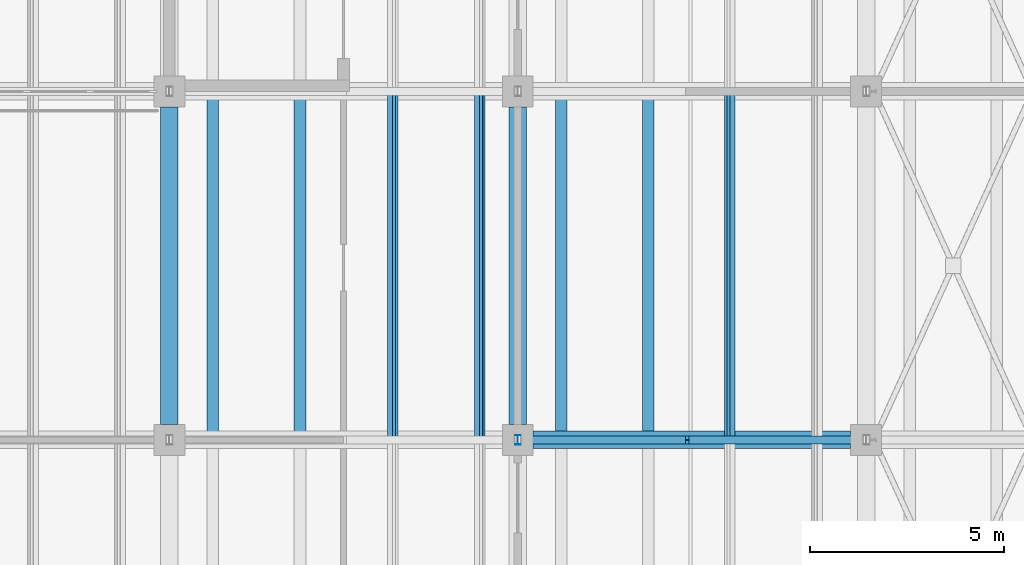
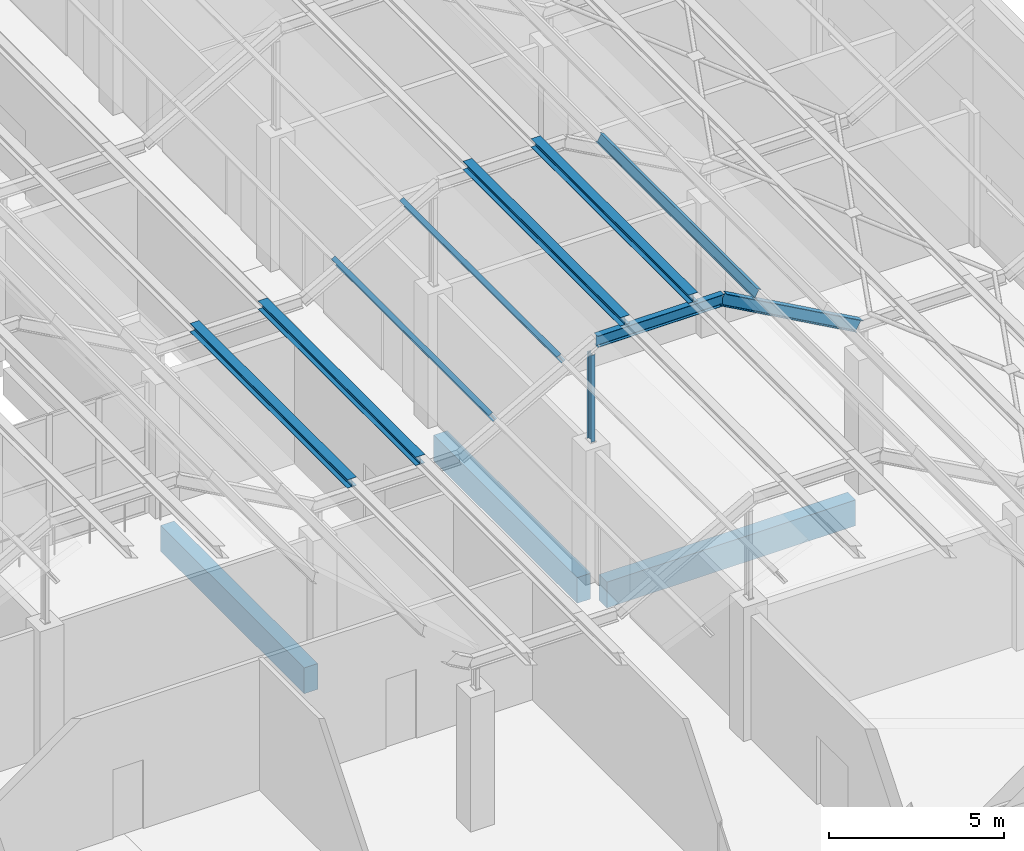
# One storey, part 27 of 437: 10 members, 3 beams.
"""IFC4 building model written with IfcOpenShell, lengths in metres."""

from ifc_helpers import new_model, si_unit, direction, frame, origin, origin_2d, place, context, subcontext, project, spatial, rectangle, i_section, extrude, material, material_profile, profile_set, type_object, element, save


model = new_model("IFC4")

# Units and contexts
model_context = context("Model", 3, precision=1e-05, world=origin(), true_north=direction((0.0, 1.0)))
body_context = subcontext(model_context, "Body", "Model", "MODEL_VIEW")
ifc_project = project(units=[si_unit("LENGTHUNIT", "METRE"), si_unit("AREAUNIT", "SQUARE_METRE"), si_unit("VOLUMEUNIT", "CUBIC_METRE"), si_unit("PLANEANGLEUNIT", "RADIAN"), si_unit("MASSUNIT", "GRAM", prefix="KILO")], contexts=[model_context])

# Site, building, storey
site_placement = place(None, origin())
site = spatial("IfcSite", under=ifc_project, at=site_placement, CompositionType="ELEMENT")
building_placement = place(site_placement, origin())
building = spatial("IfcBuilding", under=site, at=building_placement, Name="Opaline Strait Convention Centre", CompositionType="ELEMENT")
storey_placement = place(building_placement, frame((0.0, 0.0, 11.5)))
storey = spatial("IfcBuildingStorey", under=building, at=storey_placement, Name="L02", CompositionType="ELEMENT", Elevation=11.5)

# Members
ifc_material_1 = material(Name="Steel Q355B", Category="steel")
ifc_material_profile_1 = material_profile(ifc_material_1, i_section(OverallWidth=0.300048828125, OverallDepth=0.300048828125, WebThickness=0.010009765625, FlangeThickness=0.014892578125, FilletRadius=0.012939453125, at=origin_2d()), Name="HW 300x300x10x15")
ifc_profile_set_1 = profile_set([ifc_material_profile_1], Name="Steel Q355B")
member_type_1 = type_object("IfcMemberType", Name="Crest purlin HW 300x300x10x15", PredefinedType="PURLIN", material=ifc_profile_set_1)
for number, where, z_axis, x_axis, name in (
    (1, (55.125, 36.0, 5.949951171875), (0.0, 1.0, 0.0), (-1.0, 0.0, 0.0), "RU1 purlin facet 11 line 1"),
    (2, (57.375, 36.0, 5.949951171875), (0.0, 1.0, 0.0), (-1.0, 0.0, 0.0), "RU1 purlin facet 11 line 2"),
    (3, (64.125, 36.0, 8.449951171875), (0.0, 1.0, 0.0), (-1.0, 0.0, 0.0), "RU1 purlin facet 13 line 1"),
    (4, (66.375, 36.0, 8.449951171875), (0.0, 1.0, 0.0), (-1.0, 0.0, 0.0), "RU1 purlin facet 13 line 2"),
):
    element("IfcMember", number, at=place(storey_placement, frame(where, z_axis=z_axis, x_axis=x_axis)), inside=storey, type_object=member_type_1, Name=name, PredefinedType="PURLIN", context=body_context, shape_type="SweptSolid", body=[
        extrude(i_section(OverallWidth=0.300048828125, OverallDepth=0.300048828125, WebThickness=0.010009765625, FlangeThickness=0.014892578125, FilletRadius=0.012939453125, at=origin_2d()), origin(), (0.0, 0.0, 1.0), 9.0),
    ])

# Beams
ifc_material_2 = material(Name="Concrete C35", Category="concrete")
ifc_material_profile_2 = material_profile(ifc_material_2, rectangle(XDim=0.449951171875, YDim=0.89990234375, at=origin_2d()), Name="RC 450x900")
ifc_profile_set_2 = profile_set([ifc_material_profile_2], Name="Concrete C35")
beam_type = type_object("IfcBeamType", Name="RC beam 450x900 C35", PredefinedType="BEAM", material=ifc_profile_set_2)
for number, where, z_axis, x_axis, name in (
    (5, (63.39990234375, 36.0, -0.72998046875), (1.0, 0.0, 0.0), (0.0, 1.0, 0.0), "XB1 L02 63/36-72/36"),
    (6, (54.0, 36.39990234375, -0.72998046875), (0.0, 1.0, 0.0), (-1.0, 0.0, 0.0), "XB1 L02 54/36-54/45"),
    (7, (63.0, 36.39990234375, -0.72998046875), (0.0, 1.0, 0.0), (-1.0, 0.0, 0.0), "XB1 L02 63/36-63/45"),
):
    element("IfcBeam", number, at=place(storey_placement, frame(where, z_axis=z_axis, x_axis=x_axis)), inside=storey, type_object=beam_type, Name=name, PredefinedType="BEAM", context=body_context, shape_type="SweptSolid", body=[
        extrude(rectangle(XDim=0.449951171875, YDim=0.89990234375, at=origin_2d()), origin(), (0.0, 0.0, 1.0), 8.2001953125),
    ])

# Members
ifc_material_profile_3 = material_profile(ifc_material_1, i_section(OverallWidth=0.125, OverallDepth=0.25, WebThickness=0.006103515625, FlangeThickness=0.009033203125, FilletRadius=0.008056640625, at=origin_2d()), Name="HN 250x125x6x9")
ifc_profile_set_3 = profile_set([ifc_material_profile_3], Name="Steel Q355B")
member_type_2 = type_object("IfcMemberType", Name="Roof post HN 250x125x6x9", PredefinedType="STRUT", material=ifc_profile_set_3)
member_1_placement = place(storey_placement, frame((63.0, 36.0, 4.68994140625), z_axis=(0.0, 0.0, 1.0), x_axis=(1.0, 0.0, 0.0)))
element("IfcMember", 8, at=member_1_placement, inside=storey, type_object=member_type_2, Name="RP1 roof post at 63/36", PredefinedType="STRUT", context=body_context, shape_type="SweptSolid", body=[
    extrude(i_section(OverallWidth=0.125, OverallDepth=0.25, WebThickness=0.006103515625, FlangeThickness=0.009033203125, FilletRadius=0.008056640625, at=origin_2d()), origin(), (0.0, 0.0, 1.0), 3.031005859375),
])
ifc_material_profile_4 = material_profile(ifc_material_1, i_section(OverallWidth=0.14990234375, OverallDepth=0.300048828125, WebThickness=0.006591796875, FlangeThickness=0.009033203125, FilletRadius=0.012939453125, at=origin_2d()), Name="HN 300x150x6.5x9")
ifc_profile_set_4 = profile_set([ifc_material_profile_4], Name="Steel Q355B")
member_type_3 = type_object("IfcMemberType", Name="Roof purlin HN 300x150x6.5x9", PredefinedType="PURLIN", material=ifc_profile_set_4)
for number, where, z_axis, x_axis, name in (
    (9, (59.770751953125, 36.0, 6.61279296875), (0.0, 1.0, 0.0), (-0.874157310866, 0.0, -0.485642868639), "RU1 purlin facet 12 line 1"),
    (10, (62.020751953125, 36.0, 7.86279296875), (0.0, 1.0, 0.0), (-0.874157310866, 0.0, -0.485642868639), "RU1 purlin facet 12 line 2"),
    (11, (68.479248046875, 36.0, 7.86279296875), (0.0, 1.0, 0.0), (-0.874157310866, 0.0, 0.485642868639), "RU1 purlin facet 14 line 1"),
):
    element("IfcMember", number, at=place(storey_placement, frame(where, z_axis=z_axis, x_axis=x_axis)), inside=storey, type_object=member_type_3, Name=name, PredefinedType="PURLIN", context=body_context, shape_type="SweptSolid", body=[
        extrude(i_section(OverallWidth=0.14990234375, OverallDepth=0.300048828125, WebThickness=0.006591796875, FlangeThickness=0.009033203125, FilletRadius=0.012939453125, at=origin_2d()), origin(), (0.0, 0.0, 1.0), 9.0),
    ])
ifc_material_profile_5 = material_profile(ifc_material_1, i_section(OverallWidth=0.199951171875, OverallDepth=0.39990234375, WebThickness=0.008056640625, FlangeThickness=0.012939453125, FilletRadius=0.012939453125, at=origin_2d()), Name="HN 400x200x8x13")
ifc_profile_set_5 = profile_set([ifc_material_profile_5], Name="Steel Q355B")
member_type_4 = type_object("IfcMemberType", Name="Roof rafter HN 400x200x8x13", PredefinedType="RAFTER", material=ifc_profile_set_5)
member_2_placement = place(storey_placement, frame((63.16845703125, 36.0, 8.10009765625), z_axis=(1.0, 0.0, 0.0), x_axis=(0.0, 1.0, 0.0)))
element("IfcMember", 12, at=member_2_placement, inside=storey, type_object=member_type_4, Name="RR1 rafter line 4 facet 14", PredefinedType="RAFTER", context=body_context, shape_type="SweptSolid", body=[
    extrude(i_section(OverallWidth=0.199951171875, OverallDepth=0.39990234375, WebThickness=0.008056640625, FlangeThickness=0.012939453125, FilletRadius=0.012939453125, at=origin_2d()), origin(), (0.0, 0.0, 1.0), 4.1630859375),
])
member_3_placement = place(storey_placement, frame((67.33154296875, 36.0, 8.10009765625), z_axis=(0.874157276122, 0.0, -0.485642931179), x_axis=(0.0, 1.0, 0.0)))
element("IfcMember", 13, at=member_3_placement, inside=storey, type_object=member_type_4, Name="RR1 rafter line 4 facet 15", PredefinedType="RAFTER", context=body_context, shape_type="SweptSolid", body=[
    extrude(i_section(OverallWidth=0.199951171875, OverallDepth=0.39990234375, WebThickness=0.008056640625, FlangeThickness=0.012939453125, FilletRadius=0.012939453125, at=origin_2d()), origin(), (0.0, 0.0, 1.0), 5.147705078125),
])

save(model, "model.ifc")
